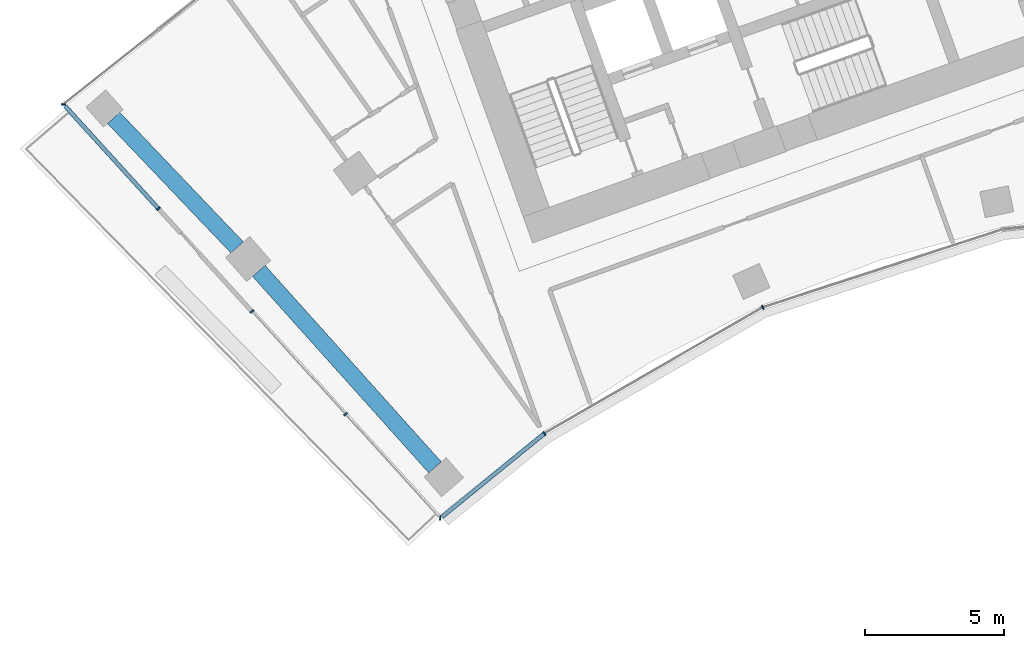
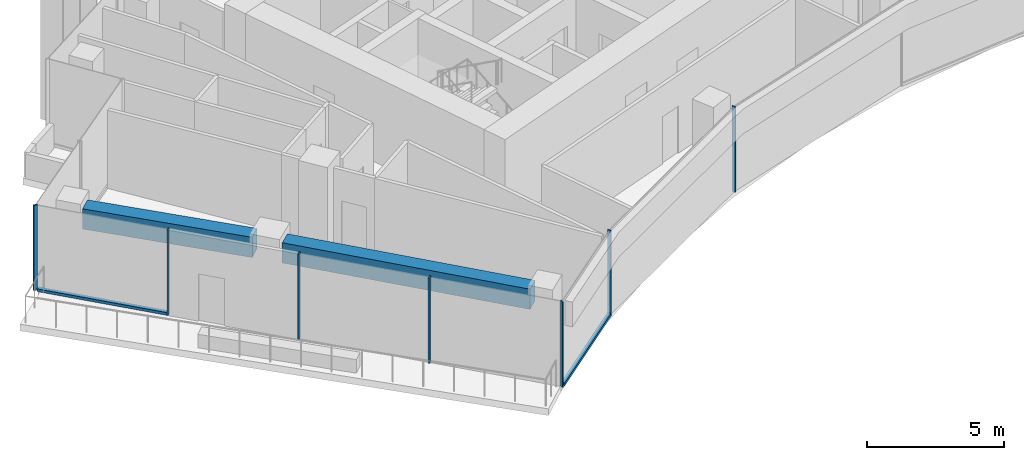
# One storey, part 2 of 19: 9 members, 2 beams, 2 elements without a shape of their own.
"""IFC4 building model written with IfcOpenShell, lengths in metres."""

from ifc_helpers import new_model, si_unit, direction, frame, origin, origin_2d, place, context, subcontext, project, spatial, rectangle, extrude, material, layer, layer_set, material_profile, profile_set, type_object, element, aggregate, save


model = new_model("IFC4")

# Units and contexts
model_context = context("Model", 3, precision=1e-05, world=origin(), true_north=direction((0.0, 1.0)))
body_context = subcontext(model_context, "Body", "Model", "MODEL_VIEW")
ifc_project = project(units=[si_unit("LENGTHUNIT", "METRE"), si_unit("AREAUNIT", "SQUARE_METRE"), si_unit("VOLUMEUNIT", "CUBIC_METRE"), si_unit("PLANEANGLEUNIT", "RADIAN"), si_unit("MASSUNIT", "GRAM", prefix="KILO")], contexts=[model_context])

# Site, building, storey
site_placement = place(None, origin())
site = spatial("IfcSite", under=ifc_project, at=site_placement, CompositionType="ELEMENT")
building_placement = place(site_placement, origin())
building = spatial("IfcBuilding", under=site, at=building_placement, Name="Stone Belt Terrace Tower", CompositionType="ELEMENT")
storey_placement = place(building_placement, frame((0.0, 0.0, 227.60009765625)))
storey = spatial("IfcBuildingStorey", under=building, at=storey_placement, Name="L55", CompositionType="ELEMENT", Elevation=227.60009765625)

# Curtain wall, members
ifc_material_1 = material(Name="Aluminium 6063-T6 anodised frame", Category="aluminium")
ifc_layer_1 = layer(ifc_material_1, 0.14990234375)
ifc_layer_set_1 = layer_set([ifc_layer_1], Name="CW-B unitised concave-face curtain wall")
curtain_wall_type_1 = type_object("IfcCurtainWallType", Name="CW-B unitised concave-face curtain wall", PredefinedType="NOTDEFINED", material=ifc_layer_set_1)
curtain_wall_1_placement = place(storey_placement, origin())
curtain_wall_1 = element("IfcCurtainWall", 1, at=curtain_wall_1_placement, inside=storey, type_object=curtain_wall_type_1, Name="CW-B concave face L55", PredefinedType="NOTDEFINED")
ifc_material_profile_1 = material_profile(ifc_material_1, rectangle(XDim=0.14990234375, YDim=0.050048828125, at=origin_2d()), Name="Aluminium 6063-T6 50x150")
ifc_profile_set_1 = profile_set([ifc_material_profile_1], Name="Aluminium 6063-T6 anodised frame")
member_type_1 = type_object("IfcMemberType", Name="CW-B mullion 50 x 150", PredefinedType="MULLION", material=ifc_profile_set_1)
member_1_placement = place(storey_placement, frame((-29.28076171875, 32.07373046875, 0.0), z_axis=(0.0, 0.0, 1.0), x_axis=(0.074612764067, 0.997212582872, 0.0)))
member_1 = element("IfcMember", 2, at=member_1_placement, type_object=member_type_1, Name="CW-B mullion 1", PredefinedType="MULLION", context=body_context, shape_type="SweptSolid", body=[
    extrude(rectangle(XDim=0.14990234375, YDim=0.050048828125, at=origin_2d()), origin(), (0.0, 0.0, 1.0), 3.7998046875),
])
member_2_placement = place(storey_placement, frame((-25.52587890625, 35.13037109375, 0.0), z_axis=(0.0, 0.0, 1.0), x_axis=(-0.567465498288, 0.823397175276, 0.0)))
member_2 = element("IfcMember", 3, at=member_2_placement, type_object=member_type_1, Name="CW-B mullion 2", PredefinedType="MULLION", context=body_context, shape_type="SweptSolid", body=[
    extrude(rectangle(XDim=0.14990234375, YDim=0.050048828125, at=origin_2d()), origin(), (0.0, 0.0, 1.0), 3.7998046875),
])
member_3_placement = place(storey_placement, frame((-17.662353515625, 39.67041015625, 0.0), z_axis=(0.0, 0.0, 1.0), x_axis=(-0.406736643076, 0.913545457643, 0.0)))
member_3 = element("IfcMember", 4, at=member_3_placement, type_object=member_type_1, Name="CW-B mullion 3", PredefinedType="MULLION", context=body_context, shape_type="SweptSolid", body=[
    extrude(rectangle(XDim=0.14990234375, YDim=0.050048828125, at=origin_2d()), origin(), (0.0, 0.0, 1.0), 3.7998046875),
])
ifc_material_profile_2 = material_profile(ifc_material_1, rectangle(XDim=0.14990234375, YDim=0.1201171875, at=origin_2d()), Name="Aluminium 6063-T6 150x120")
ifc_profile_set_2 = profile_set([ifc_material_profile_2], Name="Aluminium 6063-T6 anodised frame")
member_type_2 = type_object("IfcMemberType", Name="CW-B transom 120 x 150", PredefinedType="USERDEFINED", material=ifc_profile_set_2)
member_4_placement = place(storey_placement, frame((-29.226806640625, 32.11767578125, 0.059814453125), z_axis=(0.775515096537, 0.631329022811, 0.0), x_axis=(-0.631329022811, 0.775515096537, 0.0)))
member_4 = element("IfcMember", 5, at=member_4_placement, type_object=member_type_2, Name="CW-B transom 1.1", ObjectType="TRANSOM", PredefinedType="USERDEFINED", context=body_context, shape_type="SweptSolid", body=[
    extrude(rectangle(XDim=0.14990234375, YDim=0.1201171875, at=origin_2d()), origin(), (0.0, 0.0, 1.0), 4.740966796875),
])
aggregate(curtain_wall_1, [member_1, member_2, member_3, member_4])

ifc_layer_2 = layer(ifc_material_1, 0.14990234375)
ifc_layer_set_2 = layer_set([ifc_layer_2], Name="CW-C stick curtain wall, horn ends and notches")
curtain_wall_type_2 = type_object("IfcCurtainWallType", Name="CW-C stick curtain wall, horn ends and notches", PredefinedType="NOTDEFINED", material=ifc_layer_set_2)
curtain_wall_2_placement = place(storey_placement, origin())
curtain_wall_2 = element("IfcCurtainWall", 6, at=curtain_wall_2_placement, inside=storey, type_object=curtain_wall_type_2, Name="CW-C end face L55", PredefinedType="NOTDEFINED")
ifc_material_profile_3 = material_profile(ifc_material_1, rectangle(XDim=0.14990234375, YDim=0.06005859375, at=origin_2d()), Name="Aluminium 6063-T6 60x150")
ifc_profile_set_3 = profile_set([ifc_material_profile_3], Name="Aluminium 6063-T6 anodised frame")
member_type_3 = type_object("IfcMemberType", Name="CW-C mullion 60 x 150", PredefinedType="MULLION", material=ifc_profile_set_3)
member_5_placement = place(storey_placement, frame((-42.841552734375, 46.9794921875, 0.0), z_axis=(0.0, 0.0, 1.0), x_axis=(0.996717170972, -0.080962220139, 0.0)))
member_5 = element("IfcMember", 7, at=member_5_placement, type_object=member_type_3, Name="CW-C mullion 1", PredefinedType="MULLION", context=body_context, shape_type="SweptSolid", body=[
    extrude(rectangle(XDim=0.14990234375, YDim=0.06005859375, at=origin_2d()), origin(), (0.0, 0.0, 1.0), 3.7998046875),
])
member_6_placement = place(storey_placement, frame((-39.422607421875, 43.2216796875, 0.0), z_axis=(0.0, 0.0, 1.0), x_axis=(0.739693315468, 0.672944127735, 0.0)))
member_6 = element("IfcMember", 8, at=member_6_placement, type_object=member_type_3, Name="CW-C mullion 2", PredefinedType="MULLION", context=body_context, shape_type="SweptSolid", body=[
    extrude(rectangle(XDim=0.14990234375, YDim=0.06005859375, at=origin_2d()), origin(), (0.0, 0.0, 1.0), 3.7998046875),
])
member_7_placement = place(storey_placement, frame((-36.05810546875, 39.523193359375, 0.0), z_axis=(0.0, 0.0, 1.0), x_axis=(0.739693315468, 0.672944127735, 0.0)))
member_7 = element("IfcMember", 9, at=member_7_placement, type_object=member_type_3, Name="CW-C mullion 3", PredefinedType="MULLION", context=body_context, shape_type="SweptSolid", body=[
    extrude(rectangle(XDim=0.14990234375, YDim=0.06005859375, at=origin_2d()), origin(), (0.0, 0.0, 1.0), 3.7998046875),
])
member_8_placement = place(storey_placement, frame((-32.693359375, 35.82470703125, 0.0), z_axis=(0.0, 0.0, 1.0), x_axis=(0.739693315468, 0.672944127735, 0.0)))
member_8 = element("IfcMember", 10, at=member_8_placement, type_object=member_type_3, Name="CW-C mullion 4", PredefinedType="MULLION", context=body_context, shape_type="SweptSolid", body=[
    extrude(rectangle(XDim=0.14990234375, YDim=0.06005859375, at=origin_2d()), origin(), (0.0, 0.0, 1.0), 3.7998046875),
])
ifc_material_profile_4 = material_profile(ifc_material_1, rectangle(XDim=0.14990234375, YDim=0.1201171875, at=origin_2d()), Name="Aluminium 6063-T6 150x120")
ifc_profile_set_4 = profile_set([ifc_material_profile_4], Name="Aluminium 6063-T6 anodised frame")
member_type_4 = type_object("IfcMemberType", Name="CW-C transom 120 x 150", PredefinedType="USERDEFINED", material=ifc_profile_set_4)
member_9_placement = place(storey_placement, frame((-42.790771484375, 46.923828125, 0.059814453125), z_axis=(0.672948759459, -0.739689101679, 0.0), x_axis=(0.739689101679, 0.672948759459, 0.0)))
member_9 = element("IfcMember", 11, at=member_9_placement, type_object=member_type_4, Name="CW-C transom 1.1", ObjectType="TRANSOM", PredefinedType="USERDEFINED", context=body_context, shape_type="SweptSolid", body=[
    extrude(rectangle(XDim=0.14990234375, YDim=0.1201171875, at=origin_2d()), origin(), (0.0, 0.0, 1.0), 4.974853515625),
])
aggregate(curtain_wall_2, [member_5, member_6, member_7, member_8, member_9])

# Beams
ifc_material_2 = material(Name="Concrete B60", Category="concrete")
ifc_material_profile_5 = material_profile(ifc_material_2, rectangle(XDim=0.60009765625, YDim=0.89990234375, at=origin_2d()), Name="RC 600x900")
ifc_profile_set_5 = profile_set([ifc_material_profile_5], Name="Concrete B60")
beam_type = type_object("IfcBeamType", Name="Edge beam RC 600x900 B60", PredefinedType="SPANDREL", material=ifc_profile_set_5)
beam_1_placement = place(storey_placement, frame((-29.4638671875, 33.906982421875, 3.02978515625), z_axis=(-0.667668238644, 0.744458946555, 0.0), x_axis=(-0.744458946555, -0.667668238644, 0.0)))
element("IfcBeam", 12, at=beam_1_placement, inside=storey, type_object=beam_type, Name="Edge beam L55 A P to Q", PredefinedType="SPANDREL", context=body_context, shape_type="SweptSolid", body=[
    extrude(rectangle(XDim=0.60009765625, YDim=0.89990234375, at=origin_2d()), origin(), (0.0, 0.0, 1.0), 9.506103515625),
])
beam_2_placement = place(storey_placement, frame((-36.591796875, 41.82861328125, 3.02978515625), z_axis=(-0.690046720349, 0.723764826263, 0.0), x_axis=(-0.723764826263, -0.690046720349, 0.0)))
element("IfcBeam", 13, at=beam_2_placement, inside=storey, type_object=beam_type, Name="Edge beam L55 A Q to R", PredefinedType="SPANDREL", context=body_context, shape_type="SweptSolid", body=[
    extrude(rectangle(XDim=0.60009765625, YDim=0.89990234375, at=origin_2d()), origin(), (0.0, 0.0, 1.0), 6.444091796875),
])

save(model, "model.ifc")
